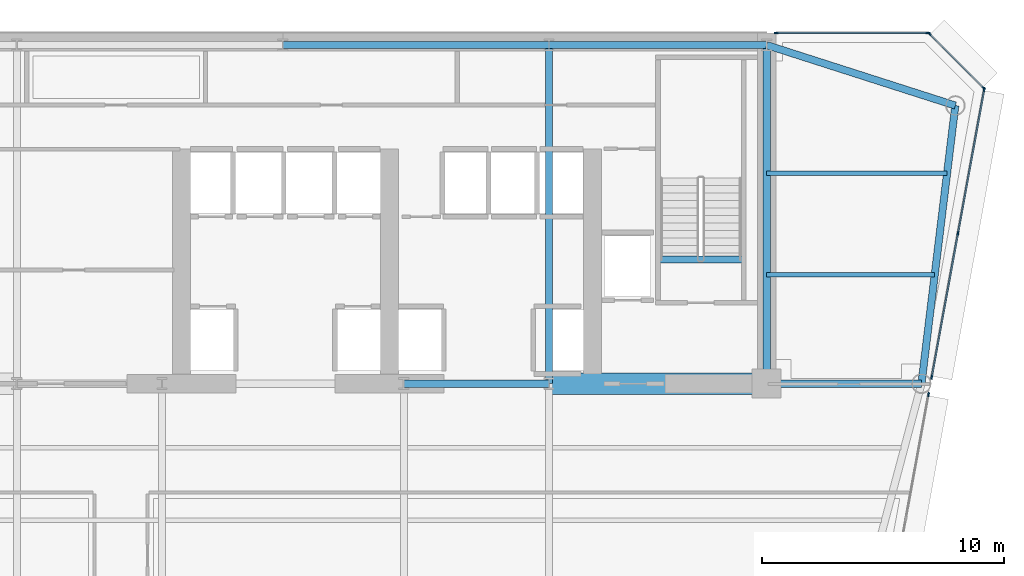
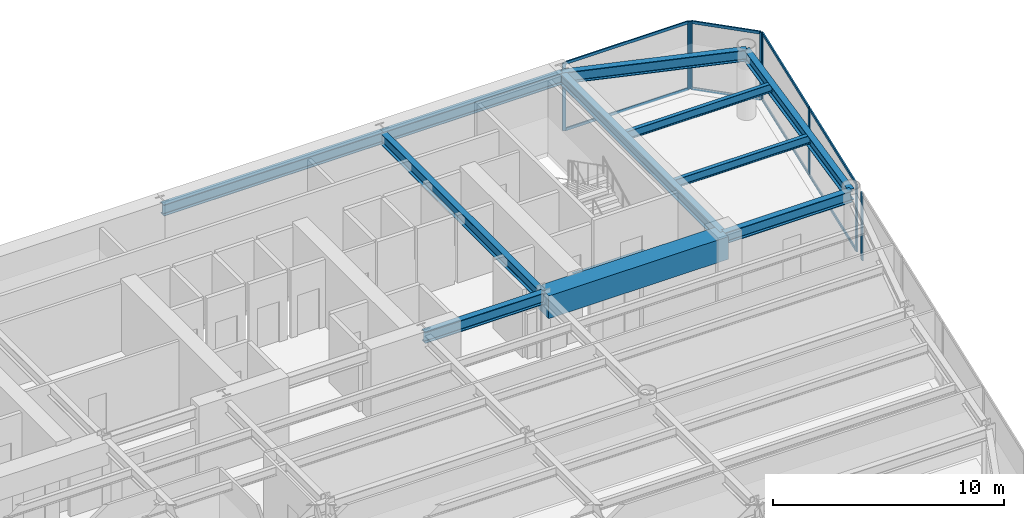
# One storey, part 9 of 17: 16 members, 12 beams, 4 elements without a shape of their own.
"""IFC4 building model written with IfcOpenShell, lengths in metres."""

from ifc_helpers import new_model, si_unit, direction, frame, origin, origin_2d, place, context, subcontext, project, spatial, rectangle, i_section, extrude, source, transform, mapped, material, layer, layer_set, material_profile, profile_set, type_object, element, aggregate, save


model = new_model("IFC4")

# Units and contexts
model_context = context("Model", 3, precision=1e-05, world=origin(), true_north=direction((0.0, 1.0)))
body_context = subcontext(model_context, "Body", "Model", "MODEL_VIEW")
ifc_project = project(units=[si_unit("LENGTHUNIT", "METRE"), si_unit("AREAUNIT", "SQUARE_METRE"), si_unit("VOLUMEUNIT", "CUBIC_METRE"), si_unit("PLANEANGLEUNIT", "RADIAN"), si_unit("MASSUNIT", "GRAM", prefix="KILO")], contexts=[model_context])

# Site, building, storey
site_placement = place(None, origin())
site = spatial("IfcSite", under=ifc_project, at=site_placement, CompositionType="ELEMENT")
building_placement = place(site_placement, origin())
building = spatial("IfcBuilding", under=site, at=building_placement, Name="Vaeldorn Concourse Tower", CompositionType="ELEMENT")
storey_placement = place(building_placement, frame((0.0, 0.0, 161.39990234375)))
storey = spatial("IfcBuildingStorey", under=building, at=storey_placement, Name="L41", CompositionType="ELEMENT", Elevation=161.39990234375)

# Beams
ifc_material_1 = material(Name="Concrete C60/75", Category="concrete")
ifc_material_profile_1 = material_profile(ifc_material_1, rectangle(XDim=0.89990234375, YDim=1.199951171875, at=origin_2d()), Name="RC 900x1200")
ifc_profile_set_1 = profile_set([ifc_material_profile_1], Name="Concrete C60/75")
beam_type_1 = type_object("IfcBeamType", Name="BM-CB-RC900", PredefinedType="BEAM", material=ifc_profile_set_1)
shared_shape_1 = source(origin(), body_context, "Body", "SweptSolid", [
    extrude(rectangle(XDim=0.89990234375, YDim=1.199951171875, at=origin_2d()), origin(), (0.0, 0.0, 1.0), 9.0),
])
beam_1_placement = place(storey_placement, frame((45.0, 36.5, 2.97998046875), z_axis=(1.0, 0.0, 0.0), x_axis=(0.0, 1.0, 0.0)))
element("IfcBeam", 1, at=beam_1_placement, inside=storey, type_object=beam_type_1, Name="Core Coupling Beam L41-2", PredefinedType="BEAM", context=body_context, shape_type="MappedRepresentation", body=[
    mapped(shared_shape_1, transform((0.0, 0.0, 0.0), scale=1.0)),
])
ifc_material_2 = material(Name="Steel S355", Category="steel")
ifc_material_profile_2 = material_profile(ifc_material_2, i_section(OverallWidth=0.300048828125, OverallDepth=0.340087890625, WebThickness=0.011962890625, FlangeThickness=0.021484375, FilletRadius=0.027099609375, at=origin_2d()), Name="HEB 340")
ifc_profile_set_2 = profile_set([ifc_material_profile_2], Name="Steel S355")
beam_type_2 = type_object("IfcBeamType", Name="BM-ST-TRIM", PredefinedType="BEAM", material=ifc_profile_set_2)
shared_shape_2 = source(origin(), body_context, "Body", "SweptSolid", [
    extrude(i_section(OverallWidth=0.300048828125, OverallDepth=0.340087890625, WebThickness=0.011962890625, FlangeThickness=0.021484375, FilletRadius=0.027099609375, at=origin_2d()), origin(), (0.0, 0.0, 1.0), 3.590087890625),
])
beam_2_placement = place(storey_placement, frame((49.47998046875, 41.639892578125, -0.389892578125), z_axis=(1.0, 0.0, 0.0), x_axis=(0.0, 1.0, 0.0)))
element("IfcBeam", 2, at=beam_2_placement, inside=storey, type_object=beam_type_2, Name="Stair Landing Trimmer Beam ST-2 L41", PredefinedType="BEAM", context=body_context, shape_type="MappedRepresentation", body=[
    mapped(shared_shape_2, transform((0.0, 0.0, 0.0), scale=1.0)),
])
ifc_material_profile_3 = material_profile(ifc_material_2, i_section(OverallWidth=0.18994140625, OverallDepth=0.449951171875, WebThickness=0.009521484375, FlangeThickness=0.0146484375, FilletRadius=0.02099609375, at=origin_2d()), Name="IPE 450")
ifc_profile_set_3 = profile_set([ifc_material_profile_3], Name="Steel S355")
beam_type_3 = type_object("IfcBeamType", Name="BM-JS-IPE450", PredefinedType="JOIST", material=ifc_profile_set_3)
shared_shape_3 = source(origin(), body_context, "Body", "SweptSolid", [
    extrude(i_section(OverallWidth=0.18994140625, OverallDepth=0.449951171875, WebThickness=0.009521484375, FlangeThickness=0.0146484375, FilletRadius=0.02099609375, at=origin_2d()), origin(), (0.0, 0.0, 1.0), 6.94775390625),
])
beam_3_placement = place(storey_placement, frame((54.0, 41.0, 3.35498046875), z_axis=(1.0, 0.0, 0.0), x_axis=(0.0, 1.0, 0.0)))
element("IfcBeam", 3, at=beam_3_placement, inside=storey, type_object=beam_type_3, Name="Beam JS-L41-NE-410", PredefinedType="JOIST", context=body_context, shape_type="MappedRepresentation", body=[
    mapped(shared_shape_3, transform((0.0, 0.0, 0.0), scale=1.0)),
])
shared_shape_4 = source(origin(), body_context, "Body", "SweptSolid", [
    extrude(i_section(OverallWidth=0.18994140625, OverallDepth=0.449951171875, WebThickness=0.009521484375, FlangeThickness=0.0146484375, FilletRadius=0.02099609375, at=origin_2d()), origin(), (0.0, 0.0, 1.0), 7.458984375),
])
beam_4_placement = place(storey_placement, frame((54.0, 45.199951171875, 3.35498046875), z_axis=(1.0, 0.0, 0.0), x_axis=(0.0, 1.0, 0.0)))
element("IfcBeam", 4, at=beam_4_placement, inside=storey, type_object=beam_type_3, Name="Beam JS-L41-NE-452", PredefinedType="JOIST", context=body_context, shape_type="MappedRepresentation", body=[
    mapped(shared_shape_4, transform((0.0, 0.0, 0.0), scale=1.0)),
])
ifc_material_profile_4 = material_profile(ifc_material_2, i_section(OverallWidth=0.300048828125, OverallDepth=0.60009765625, WebThickness=0.015380859375, FlangeThickness=0.030029296875, FilletRadius=0.027099609375, at=origin_2d()), Name="HEB 600")
ifc_profile_set_4 = profile_set([ifc_material_profile_4], Name="Steel S355")
beam_type_4 = type_object("IfcBeamType", Name="BM-PG-HEB600", PredefinedType="BEAM", material=ifc_profile_set_4)
shared_shape_5 = source(origin(), body_context, "Body", "SweptSolid", [
    extrude(i_section(OverallWidth=0.300048828125, OverallDepth=0.60009765625, WebThickness=0.015380859375, FlangeThickness=0.030029296875, FilletRadius=0.027099609375, at=origin_2d()), origin(), (0.0, 0.0, 1.0), 6.0),
])
beam_5_placement = place(storey_placement, frame((39.0, 36.5, 3.280029296875), z_axis=(1.0, 0.0, 0.0), x_axis=(0.0, 1.0, 0.0)))
element("IfcBeam", 5, at=beam_5_placement, inside=storey, type_object=beam_type_4, Name="Beam BM-L41-C-FC4-C-FC5", PredefinedType="BEAM", context=body_context, shape_type="MappedRepresentation", body=[
    mapped(shared_shape_5, transform((0.0, 0.0, 0.0), scale=1.0)),
])
shared_shape_6 = source(origin(), body_context, "Body", "SweptSolid", [
    extrude(i_section(OverallWidth=0.300048828125, OverallDepth=0.60009765625, WebThickness=0.015380859375, FlangeThickness=0.030029296875, FilletRadius=0.027099609375, at=origin_2d()), origin(), (0.0, 0.0, 1.0), 9.0),
])
beam_6_placement = place(storey_placement, frame((45.0, 50.5, 3.280029296875), z_axis=(1.0, 0.0, 0.0), x_axis=(0.0, 1.0, 0.0)))
element("IfcBeam", 6, at=beam_6_placement, inside=storey, type_object=beam_type_4, Name="Beam BM-L41-C-HC4-C-HC5", PredefinedType="BEAM", context=body_context, shape_type="MappedRepresentation", body=[
    mapped(shared_shape_6, transform((0.0, 0.0, 0.0), scale=1.0)),
])
shared_shape_7 = source(origin(), body_context, "Body", "SweptSolid", [
    extrude(i_section(OverallWidth=0.300048828125, OverallDepth=0.60009765625, WebThickness=0.015380859375, FlangeThickness=0.030029296875, FilletRadius=0.027099609375, at=origin_2d()), origin(), (0.0, 0.0, 1.0), 11.0),
])
beam_7_placement = place(storey_placement, frame((34.0, 50.5, 3.280029296875), z_axis=(1.0, 0.0, 0.0), x_axis=(0.0, 1.0, 0.0)))
element("IfcBeam", 7, at=beam_7_placement, inside=storey, type_object=beam_type_4, Name="Beam BM-L41-C-HC3-C-HC4", PredefinedType="BEAM", context=body_context, shape_type="MappedRepresentation", body=[
    mapped(shared_shape_7, transform((0.0, 0.0, 0.0), scale=1.0)),
])
shared_shape_8 = source(origin(), body_context, "Body", "SweptSolid", [
    extrude(i_section(OverallWidth=0.300048828125, OverallDepth=0.60009765625, WebThickness=0.015380859375, FlangeThickness=0.030029296875, FilletRadius=0.027099609375, at=origin_2d()), origin(), (0.0, 0.0, 1.0), 14.0),
])
for number, where, z_axis, x_axis, name in (
    (8, (45.0, 36.5, 3.280029296875), (0.0, 1.0, 0.0), (-1.0, 0.0, 0.0), "Beam BM-L41-C-FC5-C-HC4"),
    (9, (54.0, 36.5, 3.280029296875), (0.0, 1.0, 0.0), (-1.0, 0.0, 0.0), "Beam BM-L41-C-FC6-C-HC5"),
):
    element("IfcBeam", number, at=place(storey_placement, frame(where, z_axis=z_axis, x_axis=x_axis)), inside=storey, type_object=beam_type_4, Name=name, PredefinedType="BEAM", context=body_context, shape_type="MappedRepresentation", body=[
        mapped(shared_shape_8, transform((0.0, 0.0, 0.0), scale=1.0)),
    ])
shared_shape_9 = source(origin(), body_context, "Body", "SweptSolid", [
    extrude(i_section(OverallWidth=0.300048828125, OverallDepth=0.60009765625, WebThickness=0.015380859375, FlangeThickness=0.030029296875, FilletRadius=0.027099609375, at=origin_2d()), origin(), (0.0, 0.0, 1.0), 8.19091796875),
])
beam_8_placement = place(storey_placement, frame((54.0, 50.5, 3.280029296875), z_axis=(0.952282843383, -0.305216949396, 0.0), x_axis=(0.305216949396, 0.952282843383, 0.0)))
element("IfcBeam", 10, at=beam_8_placement, inside=storey, type_object=beam_type_4, Name="Beam BM-L41-C-HC5-C-NE1", PredefinedType="BEAM", context=body_context, shape_type="MappedRepresentation", body=[
    mapped(shared_shape_9, transform((0.0, 0.0, 0.0), scale=1.0)),
])
shared_shape_10 = source(origin(), body_context, "Body", "SweptSolid", [
    extrude(i_section(OverallWidth=0.300048828125, OverallDepth=0.60009765625, WebThickness=0.015380859375, FlangeThickness=0.030029296875, FilletRadius=0.027099609375, at=origin_2d()), origin(), (0.0, 0.0, 1.0), 11.5849609375),
])
beam_9_placement = place(storey_placement, frame((61.800048828125, 48.0, 3.280029296875), z_axis=(-0.120859382899, -0.992669637677, 0.0), x_axis=(0.992669637677, -0.120859382899, 0.0)))
element("IfcBeam", 11, at=beam_9_placement, inside=storey, type_object=beam_type_4, Name="Beam BM-L41-C-NE1-C-NE2", PredefinedType="BEAM", context=body_context, shape_type="MappedRepresentation", body=[
    mapped(shared_shape_10, transform((0.0, 0.0, 0.0), scale=1.0)),
])
shared_shape_11 = source(origin(), body_context, "Body", "SweptSolid", [
    extrude(i_section(OverallWidth=0.300048828125, OverallDepth=0.60009765625, WebThickness=0.015380859375, FlangeThickness=0.030029296875, FilletRadius=0.027099609375, at=origin_2d()), origin(), (0.0, 0.0, 1.0), 6.39990234375),
])
beam_10_placement = place(storey_placement, frame((54.0, 36.5, 3.280029296875), z_axis=(1.0, 0.0, 0.0), x_axis=(0.0, 1.0, 0.0)))
element("IfcBeam", 12, at=beam_10_placement, inside=storey, type_object=beam_type_4, Name="Beam BM-L41-C-FC6-C-NE2", PredefinedType="BEAM", context=body_context, shape_type="MappedRepresentation", body=[
    mapped(shared_shape_11, transform((0.0, 0.0, 0.0), scale=1.0)),
])

# Curtain wall, members
ifc_material_3 = material(Name="Anodised Bronze Aluminium", Category="aluminium")
ifc_layer = layer(ifc_material_3, 0.18994140625)
ifc_layer_set = layer_set([ifc_layer], Name="Anodised Bronze Aluminium")
curtain_wall_type = type_object("IfcCurtainWallType", Name="CW-SYS-03", PredefinedType="NOTDEFINED", material=ifc_layer_set)
curtain_wall_1_placement = place(storey_placement, origin())
curtain_wall_1 = element("IfcCurtainWall", 13, at=curtain_wall_1_placement, inside=storey, type_object=curtain_wall_type, Name="Unitised Curtain Wall CW-L41-E08-1", PredefinedType="NOTDEFINED")
ifc_material_profile_5 = material_profile(ifc_material_3, rectangle(XDim=0.06494140625, YDim=0.14990234375, at=origin_2d()), Name="CWT 65x150")
ifc_profile_set_5 = profile_set([ifc_material_profile_5], Name="Anodised Bronze Aluminium")
member_type_1 = type_object("IfcMemberType", Name="CWT-BRONZE-150", PredefinedType="USERDEFINED", material=ifc_profile_set_5)
shared_shape_12 = source(origin(), body_context, "Body", "SweptSolid", [
    extrude(rectangle(XDim=0.06494140625, YDim=0.14990234375, at=origin_2d()), origin(), (0.0, 0.0, 1.0), 3.123046875),
])
member_1_placement = place(storey_placement, frame((62.9541015625, 48.745849609375, 0.03271484375), z_axis=(-0.707106781187, 0.707106781187, 0.0), x_axis=(-0.707106781187, -0.707106781187, 0.0)))
member_1 = element("IfcMember", 14, at=member_1_placement, type_object=member_type_1, Name="CW-03 transom 1.1", ObjectType="TRANSOM", PredefinedType="USERDEFINED", context=body_context, shape_type="MappedRepresentation", body=[
    mapped(shared_shape_12, transform((0.0, 0.0, 0.0), scale=1.0)),
])
member_2_placement = place(storey_placement, frame((62.9541015625, 48.745849609375, 3.547607421875), z_axis=(-0.707106781187, 0.707106781187, 0.0), x_axis=(-0.707106781187, -0.707106781187, 0.0)))
member_2 = element("IfcMember", 15, at=member_2_placement, type_object=member_type_1, Name="CW-03 transom 1.2", ObjectType="TRANSOM", PredefinedType="USERDEFINED", context=body_context, shape_type="MappedRepresentation", body=[
    mapped(shared_shape_12, transform((0.0, 0.0, 0.0), scale=1.0)),
])

curtain_wall_2_placement = place(storey_placement, origin())
curtain_wall_2 = element("IfcCurtainWall", 16, at=curtain_wall_2_placement, inside=storey, type_object=curtain_wall_type, Name="Unitised Curtain Wall CW-L41-E09-1", PredefinedType="NOTDEFINED")
shared_shape_13 = source(origin(), body_context, "Body", "SweptSolid", [
    extrude(rectangle(XDim=0.06494140625, YDim=0.14990234375, at=origin_2d()), origin(), (0.0, 0.0, 1.0), 6.199951171875),
])
member_3_placement = place(storey_placement, frame((60.635009765625, 51.0, 0.03271484375), z_axis=(-1.0, 0.0, 0.0), x_axis=(0.0, -1.0, 0.0)))
member_3 = element("IfcMember", 17, at=member_3_placement, type_object=member_type_1, Name="CW-03 transom 1.1", ObjectType="TRANSOM", PredefinedType="USERDEFINED", context=body_context, shape_type="MappedRepresentation", body=[
    mapped(shared_shape_13, transform((0.0, 0.0, 0.0), scale=1.0)),
])
member_4_placement = place(storey_placement, frame((60.635009765625, 51.0, 3.547607421875), z_axis=(-1.0, 0.0, 0.0), x_axis=(0.0, -1.0, 0.0)))
member_4 = element("IfcMember", 18, at=member_4_placement, type_object=member_type_1, Name="CW-03 transom 1.2", ObjectType="TRANSOM", PredefinedType="USERDEFINED", context=body_context, shape_type="MappedRepresentation", body=[
    mapped(shared_shape_13, transform((0.0, 0.0, 0.0), scale=1.0)),
])

curtain_wall_3_placement = place(storey_placement, origin())
curtain_wall_3 = element("IfcCurtainWall", 19, at=curtain_wall_3_placement, inside=storey, type_object=curtain_wall_type, Name="Unitised Curtain Wall CW-L41-E07-2", PredefinedType="NOTDEFINED")
shared_shape_14 = source(origin(), body_context, "Body", "SweptSolid", [
    extrude(rectangle(XDim=0.06494140625, YDim=0.14990234375, at=origin_2d()), origin(), (0.0, 0.0, 1.0), 5.986572265625),
])
member_5_placement = place(storey_placement, frame((60.828125, 36.79345703125, 0.03271484375), z_axis=(0.179438079261, 0.98376926955, 0.0), x_axis=(-0.98376926955, 0.179438079261, 0.0)))
member_5 = element("IfcMember", 20, at=member_5_placement, type_object=member_type_1, Name="CW-03 transom 1.1", ObjectType="TRANSOM", PredefinedType="USERDEFINED", context=body_context, shape_type="MappedRepresentation", body=[
    mapped(shared_shape_14, transform((0.0, 0.0, 0.0), scale=1.0)),
])
member_6_placement = place(storey_placement, frame((60.828125, 36.79345703125, 3.547607421875), z_axis=(0.179438079261, 0.98376926955, 0.0), x_axis=(-0.98376926955, 0.179438079261, 0.0)))
member_6 = element("IfcMember", 21, at=member_6_placement, type_object=member_type_1, Name="CW-03 transom 1.2", ObjectType="TRANSOM", PredefinedType="USERDEFINED", context=body_context, shape_type="MappedRepresentation", body=[
    mapped(shared_shape_14, transform((0.0, 0.0, 0.0), scale=1.0)),
])
shared_shape_15 = source(origin(), body_context, "Body", "SweptSolid", [
    extrude(rectangle(XDim=0.06494140625, YDim=0.14990234375, at=origin_2d()), origin(), (0.0, 0.0, 1.0), 5.986328125),
])
member_7_placement = place(storey_placement, frame((61.9140625, 42.746826171875, 0.03271484375), z_axis=(0.179445278506, 0.983767956391, 0.0), x_axis=(-0.983767956391, 0.179445278506, 0.0)))
member_7 = element("IfcMember", 22, at=member_7_placement, type_object=member_type_1, Name="CW-03 transom 2.1", ObjectType="TRANSOM", PredefinedType="USERDEFINED", context=body_context, shape_type="MappedRepresentation", body=[
    mapped(shared_shape_15, transform((0.0, 0.0, 0.0), scale=1.0)),
])
member_8_placement = place(storey_placement, frame((61.9140625, 42.746826171875, 3.547607421875), z_axis=(0.179445278506, 0.983767956391, 0.0), x_axis=(-0.983767956391, 0.179445278506, 0.0)))
member_8 = element("IfcMember", 23, at=member_8_placement, type_object=member_type_1, Name="CW-03 transom 2.2", ObjectType="TRANSOM", PredefinedType="USERDEFINED", context=body_context, shape_type="MappedRepresentation", body=[
    mapped(shared_shape_15, transform((0.0, 0.0, 0.0), scale=1.0)),
])

# Curtain wall, member
curtain_wall_4_placement = place(storey_placement, origin())
curtain_wall_4 = element("IfcCurtainWall", 24, at=curtain_wall_4_placement, inside=storey, type_object=curtain_wall_type, Name="Unitised Curtain Wall CW-L41-E07-1", PredefinedType="NOTDEFINED")
ifc_material_profile_6 = material_profile(ifc_material_3, rectangle(XDim=0.06494140625, YDim=0.169921875, at=origin_2d()), Name="CWM 65x170")
ifc_profile_set_6 = profile_set([ifc_material_profile_6], Name="Anodised Bronze Aluminium")
member_type_2 = type_object("IfcMemberType", Name="CWM-BRONZE-170", PredefinedType="MULLION", material=ifc_profile_set_6)
shared_shape_16 = source(origin(), body_context, "Body", "SweptSolid", [
    extrude(rectangle(XDim=0.06494140625, YDim=0.169921875, at=origin_2d()), origin(), (0.0, 0.0, 1.0), 3.580078125),
])
member_9_placement = place(storey_placement, frame((60.69287109375, 36.051513671875, 0.0), z_axis=(0.0, 0.0, 1.0), x_axis=(-0.983767841325, 0.179445909331, 0.0)))
member_9 = element("IfcMember", 25, at=member_9_placement, type_object=member_type_2, Name="CW-03 mullion 7", PredefinedType="MULLION", context=body_context, shape_type="MappedRepresentation", body=[
    mapped(shared_shape_16, transform((0.0, 0.0, 0.0), scale=1.0)),
])
aggregate(curtain_wall_4, [member_9])

# Member
member_10_placement = place(storey_placement, frame((60.822265625, 36.761474609375, 0.0), z_axis=(0.0, 0.0, 1.0), x_axis=(-0.983767579285, 0.179447345892, 0.0)))
member_10 = element("IfcMember", 26, at=member_10_placement, type_object=member_type_2, Name="CW-03 mullion 1", PredefinedType="MULLION", context=body_context, shape_type="MappedRepresentation", body=[
    mapped(shared_shape_16, transform((0.0, 0.0, 0.0), scale=1.0)),
])

member_11_placement = place(storey_placement, frame((61.908203125, 42.71484375, 0.0), z_axis=(0.0, 0.0, 1.0), x_axis=(-0.983767579285, 0.179447345892, 0.0)))
member_11 = element("IfcMember", 27, at=member_11_placement, type_object=member_type_2, Name="CW-03 mullion 2", PredefinedType="MULLION", context=body_context, shape_type="MappedRepresentation", body=[
    mapped(shared_shape_16, transform((0.0, 0.0, 0.0), scale=1.0)),
])

member_12_placement = place(storey_placement, frame((62.994140625, 48.66796875, 0.0), z_axis=(0.0, 0.0, 1.0), x_axis=(-0.983767579285, 0.179447345892, 0.0)))
member_12 = element("IfcMember", 28, at=member_12_placement, type_object=member_type_2, Name="CW-03 mullion 3", PredefinedType="MULLION", context=body_context, shape_type="MappedRepresentation", body=[
    mapped(shared_shape_16, transform((0.0, 0.0, 0.0), scale=1.0)),
])

aggregate(curtain_wall_3, [member_10, member_11, member_12, member_5, member_6, member_7, member_8])

member_13_placement = place(storey_placement, frame((62.97705078125, 48.722900390625, 0.0), z_axis=(0.0, 0.0, 1.0), x_axis=(-0.707106781187, -0.707106781187, 0.0)))
member_13 = element("IfcMember", 29, at=member_13_placement, type_object=member_type_2, Name="CW-03 mullion 1", PredefinedType="MULLION", context=body_context, shape_type="MappedRepresentation", body=[
    mapped(shared_shape_16, transform((0.0, 0.0, 0.0), scale=1.0)),
])

member_14_placement = place(storey_placement, frame((60.722900390625, 50.97705078125, 0.0), z_axis=(0.0, 0.0, 1.0), x_axis=(-0.707106781187, -0.707106781187, 0.0)))
member_14 = element("IfcMember", 30, at=member_14_placement, type_object=member_type_2, Name="CW-03 mullion 2", PredefinedType="MULLION", context=body_context, shape_type="MappedRepresentation", body=[
    mapped(shared_shape_16, transform((0.0, 0.0, 0.0), scale=1.0)),
])

aggregate(curtain_wall_1, [member_13, member_14, member_1, member_2])

member_15_placement = place(storey_placement, frame((60.66748046875, 51.0, 0.0), z_axis=(0.0, 0.0, 1.0), x_axis=(0.0, -1.0, 0.0)))
member_15 = element("IfcMember", 31, at=member_15_placement, type_object=member_type_2, Name="CW-03 mullion 1", PredefinedType="MULLION", context=body_context, shape_type="MappedRepresentation", body=[
    mapped(shared_shape_16, transform((0.0, 0.0, 0.0), scale=1.0)),
])

member_16_placement = place(storey_placement, frame((54.402587890625, 51.0, 0.0), z_axis=(0.0, 0.0, 1.0), x_axis=(0.0, -1.0, 0.0)))
member_16 = element("IfcMember", 32, at=member_16_placement, type_object=member_type_2, Name="CW-03 mullion 2", PredefinedType="MULLION", context=body_context, shape_type="MappedRepresentation", body=[
    mapped(shared_shape_16, transform((0.0, 0.0, 0.0), scale=1.0)),
])

aggregate(curtain_wall_2, [member_15, member_16, member_3, member_4])

save(model, "model.ifc")
